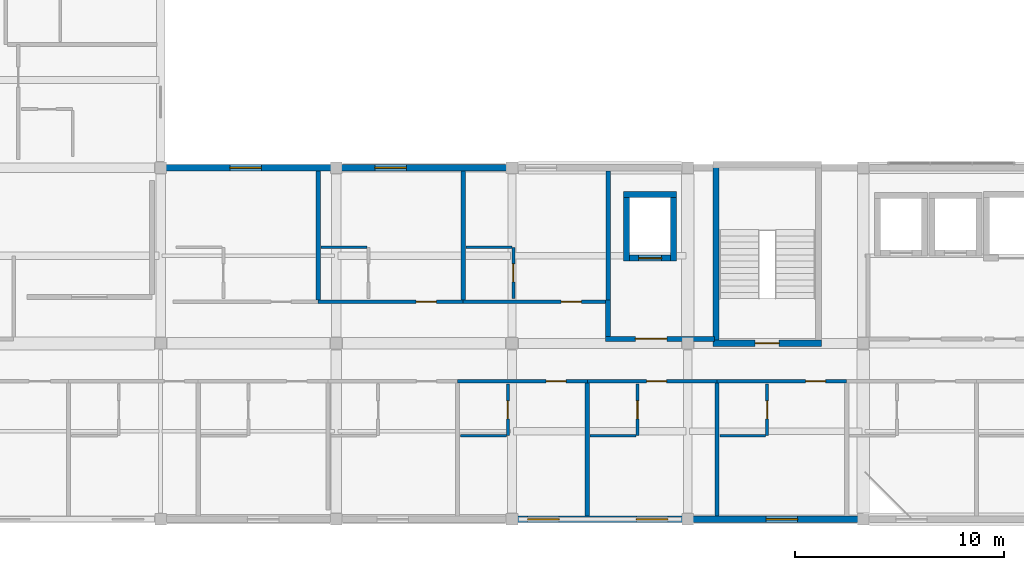
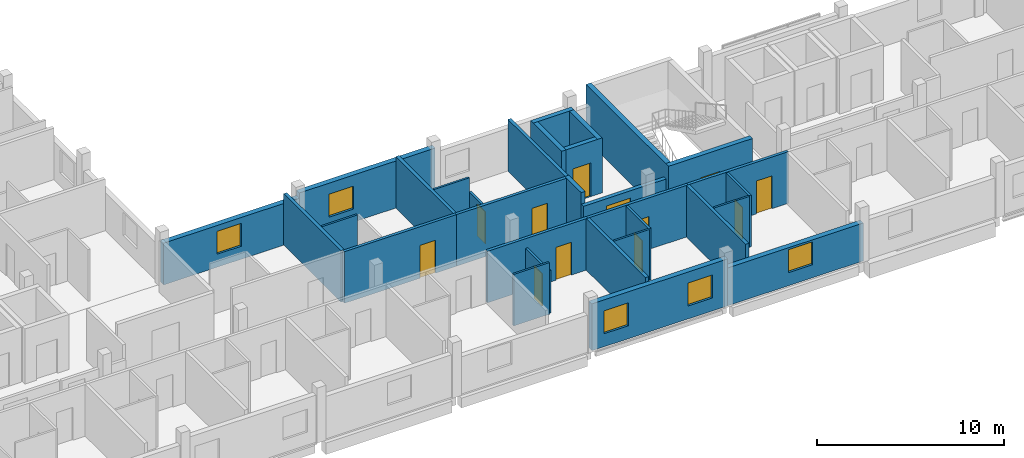
# One storey, part 15 of 26: 31 walls, 12 doors, 5 windows, 17 openings.
"""IFC4 building model written with IfcOpenShell, lengths in metres."""

from ifc_helpers import new_model, si_unit, derived_unit, direction, frame, frame_2d, origin, place, context, subcontext, project, spatial, rectangle, extrude, material, layer, layer_set, type_object, element, fill, save


model = new_model("IFC4")

# Units and contexts
model_context = context("Model", 3, precision=1e-05, world=origin(), true_north=direction((0.0, 1.0)))
body_context = subcontext(model_context, "Body", "Model", "MODEL_VIEW")
ifc_project = project(units=[si_unit("LENGTHUNIT", "METRE"), si_unit("AREAUNIT", "SQUARE_METRE"), si_unit("VOLUMEUNIT", "CUBIC_METRE"), si_unit("PLANEANGLEUNIT", "RADIAN"), si_unit("MASSUNIT", "GRAM", prefix="KILO"), derived_unit("THERMALTRANSMITTANCEUNIT", [(si_unit("POWERUNIT", "WATT"), 1), (si_unit("LENGTHUNIT", "METRE"), -2), (si_unit("THERMODYNAMICTEMPERATUREUNIT", "KELVIN"), -1)])], contexts=[model_context])

# Site, building, storey
site_placement = place(None, origin())
site = spatial("IfcSite", under=ifc_project, at=site_placement, CompositionType="ELEMENT")
building_placement = place(site_placement, origin())
building = spatial("IfcBuilding", under=site, at=building_placement, Name="Barrovel Congress Hotel", CompositionType="ELEMENT")
storey_placement = place(building_placement, frame((0.0, 0.0, 32.699951171875)))
storey = spatial("IfcBuildingStorey", under=building, at=storey_placement, Name="L08", CompositionType="ELEMENT", Elevation=32.699951171875)

# Wall, opening, window
ifc_material_1 = material(Name="Fired Clay Brick Masonry", Category="masonry")
ifc_layer_1 = layer(ifc_material_1, 0.320068359375)
ifc_layer_set_1 = layer_set([ifc_layer_1], Name="Fired Clay Brick Masonry")
wall_type_1 = type_object("IfcWallType", Name="EW-BRK320", PredefinedType="STANDARD", material=ifc_layer_set_1)
wall_1_placement = place(storey_placement, frame((67.199951171875, 21.0, 0.0), z_axis=(0.0, 0.0, 1.0), x_axis=(-1.0, 0.0, 0.0)))
wall_1 = element("IfcWall", 1, at=wall_1_placement, inside=storey, type_object=wall_type_1, Name="EW:L08:HS-NE-3", PredefinedType="STANDARD", context=body_context, shape_type="SweptSolid", body=[
    extrude(rectangle(XDim=8.39990234375, YDim=0.320068359375, at=frame_2d((4.199951171875, 0.0))), origin(), (0.0, 0.0, 1.0), 3.0751953125),
])
opening_1_placement = place(wall_1_placement, frame((5.050048828125, 0.0, 0.85009765625)))
opening_1 = element("IfcOpeningElement", 2, at=opening_1_placement, cuts=wall_1, Name="Opening WN-07", PredefinedType="OPENING", context=body_context, shape_type="SweptSolid", body=[
    extrude(rectangle(XDim=1.5, YDim=1.5, at=frame_2d((0.75, 0.75))), frame((0.0, 0.169921875, 0.0), z_axis=(0.0, -1.0, 0.0), x_axis=(1.0, 0.0, 0.0)), (0.0, 0.0, 1.0), 0.340087890625),
])
ifc_material_2 = material(Name="Double Low-E Insulated Glazing", Category="glass")
window_type = type_object("IfcWindowType", Name="WIN-WN-07", PartitioningType="SINGLE_PANEL", PredefinedType="WINDOW", material=ifc_material_2)
window_1_placement = place(opening_1_placement, origin())
window_1 = element("IfcWindow", 3, at=window_1_placement, inside=storey, type_object=window_type, Name="WIN:L08:U18", OverallHeight=1.5, OverallWidth=1.5, PartitioningType="SINGLE_PANEL", PredefinedType="WINDOW", context=body_context, shape_type="SweptSolid", body=[
    extrude(rectangle(XDim=1.5, YDim=1.5, at=frame_2d((0.75, 0.75))), frame((0.0, 0.030029296875, 0.0), z_axis=(0.0, -1.0, 0.0), x_axis=(1.0, 0.0, 0.0)), (0.0, 0.0, 1.0), 0.06005859375),
])
fill(opening_1, window_1)

# Wall, openings, windows
wall_2_placement = place(storey_placement, frame((67.199951171875, 4.199951171875, 0.0), z_axis=(0.0, 0.0, 1.0), x_axis=(1.0, 0.0, 0.0)))
wall_2 = element("IfcWall", 4, at=wall_2_placement, inside=storey, type_object=wall_type_1, Name="EW:L08:HS-S:P07", PredefinedType="STANDARD", context=body_context, shape_type="SweptSolid", body=[
    extrude(rectangle(XDim=8.400146484375, YDim=0.320068359375, at=frame_2d((4.2001953125, 0.0))), origin(), (0.0, 0.0, 1.0), 3.070068359375),
])
opening_2_placement = place(wall_2_placement, frame((0.75, 0.0, 0.85009765625)))
opening_2 = element("IfcOpeningElement", 5, at=opening_2_placement, cuts=wall_2, Name="Opening WN-07", PredefinedType="OPENING", context=body_context, shape_type="SweptSolid", body=[
    extrude(rectangle(XDim=1.5, YDim=1.5, at=frame_2d((0.75, 0.75))), frame((0.0, 0.169921875, 0.0), z_axis=(0.0, -1.0, 0.0), x_axis=(1.0, 0.0, 0.0)), (0.0, 0.0, 1.0), 0.340087890625),
])
opening_3_placement = place(wall_2_placement, frame((5.949951171875, 0.0, 0.85009765625)))
opening_3 = element("IfcOpeningElement", 6, at=opening_3_placement, cuts=wall_2, Name="Opening WN-07", PredefinedType="OPENING", context=body_context, shape_type="SweptSolid", body=[
    extrude(rectangle(XDim=1.5, YDim=1.5, at=frame_2d((0.75, 0.75))), frame((0.0, 0.169921875, 0.0), z_axis=(0.0, -1.0, 0.0), x_axis=(1.0, 0.0, 0.0)), (0.0, 0.0, 1.0), 0.340087890625),
])
window_2_placement = place(opening_2_placement, origin())
window_2 = element("IfcWindow", 7, at=window_2_placement, inside=storey, type_object=window_type, Name="WIN:L08:U07", OverallHeight=1.5, OverallWidth=1.5, PartitioningType="SINGLE_PANEL", PredefinedType="WINDOW", context=body_context, shape_type="SweptSolid", body=[
    extrude(rectangle(XDim=1.5, YDim=1.5, at=frame_2d((0.75, 0.75))), frame((0.0, 0.030029296875, 0.0), z_axis=(0.0, -1.0, 0.0), x_axis=(1.0, 0.0, 0.0)), (0.0, 0.0, 1.0), 0.06005859375),
])
fill(opening_2, window_2)
window_3_placement = place(opening_3_placement, origin())
window_3 = element("IfcWindow", 8, at=window_3_placement, inside=storey, type_object=window_type, Name="WIN:L08:U08", OverallHeight=1.5, OverallWidth=1.5, PartitioningType="SINGLE_PANEL", PredefinedType="WINDOW", context=body_context, shape_type="SweptSolid", body=[
    extrude(rectangle(XDim=1.5, YDim=1.5, at=frame_2d((0.75, 0.75))), frame((0.0, 0.030029296875, 0.0), z_axis=(0.0, -1.0, 0.0), x_axis=(1.0, 0.0, 0.0)), (0.0, 0.0, 1.0), 0.06005859375),
])
fill(opening_3, window_3)

# Wall, opening, window
wall_3_placement = place(storey_placement, frame((75.60009765625, 4.199951171875, 0.0), z_axis=(0.0, 0.0, 1.0), x_axis=(1.0, 0.0, 0.0)))
wall_3 = element("IfcWall", 9, at=wall_3_placement, inside=storey, type_object=wall_type_1, Name="EW:L08:HS-S:P08", PredefinedType="STANDARD", context=body_context, shape_type="SweptSolid", body=[
    extrude(rectangle(XDim=8.39990234375, YDim=0.320068359375, at=frame_2d((4.199951171875, 0.0))), origin(), (0.0, 0.0, 1.0), 2.47998046875),
])
opening_4_placement = place(wall_3_placement, frame((3.75, 0.0, 0.85009765625)))
opening_4 = element("IfcOpeningElement", 10, at=opening_4_placement, cuts=wall_3, Name="Opening WN-07", PredefinedType="OPENING", context=body_context, shape_type="SweptSolid", body=[
    extrude(rectangle(XDim=1.5, YDim=1.5, at=frame_2d((0.75, 0.75))), frame((0.0, 0.169921875, 0.0), z_axis=(0.0, -1.0, 0.0), x_axis=(1.0, 0.0, 0.0)), (0.0, 0.0, 1.0), 0.340087890625),
])
window_4_placement = place(opening_4_placement, origin())
window_4 = element("IfcWindow", 11, at=window_4_placement, inside=storey, type_object=window_type, Name="WIN:L08:U09", OverallHeight=1.5, OverallWidth=1.5, PartitioningType="SINGLE_PANEL", PredefinedType="WINDOW", context=body_context, shape_type="SweptSolid", body=[
    extrude(rectangle(XDim=1.5, YDim=1.5, at=frame_2d((0.75, 0.75))), frame((0.0, 0.030029296875, 0.0), z_axis=(0.0, -1.0, 0.0), x_axis=(1.0, 0.0, 0.0)), (0.0, 0.0, 1.0), 0.06005859375),
])
fill(opening_4, window_4)

wall_4_placement = place(storey_placement, frame((58.800048828125, 21.0, 0.0), z_axis=(0.0, 0.0, 1.0), x_axis=(-1.0, 0.0, 0.0)))
wall_4 = element("IfcWall", 12, at=wall_4_placement, inside=storey, type_object=wall_type_1, Name="EW:L08:HS-NE-3:P04", PredefinedType="STANDARD", context=body_context, shape_type="SweptSolid", body=[
    extrude(rectangle(XDim=8.400146484375, YDim=0.320068359375, at=frame_2d((4.2001953125, 0.0))), origin(), (0.0, 0.0, 1.0), 2.72998046875),
])
opening_5_placement = place(wall_4_placement, frame((3.583251953125, 0.0, 0.85009765625)))
opening_5 = element("IfcOpeningElement", 13, at=opening_5_placement, cuts=wall_4, Name="Opening WN-07", PredefinedType="OPENING", context=body_context, shape_type="SweptSolid", body=[
    extrude(rectangle(XDim=1.5, YDim=1.5, at=frame_2d((0.75, 0.75))), frame((0.0, 0.169921875, 0.0), z_axis=(0.0, -1.0, 0.0), x_axis=(1.0, 0.0, 0.0)), (0.0, 0.0, 1.0), 0.340087890625),
])
window_5_placement = place(opening_5_placement, origin())
window_5 = element("IfcWindow", 14, at=window_5_placement, inside=storey, type_object=window_type, Name="WIN:L08:U17", OverallHeight=1.5, OverallWidth=1.5, PartitioningType="SINGLE_PANEL", PredefinedType="WINDOW", context=body_context, shape_type="SweptSolid", body=[
    extrude(rectangle(XDim=1.5, YDim=1.5, at=frame_2d((0.75, 0.75))), frame((0.0, 0.030029296875, 0.0), z_axis=(0.0, -1.0, 0.0), x_axis=(1.0, 0.0, 0.0)), (0.0, 0.0, 1.0), 0.06005859375),
])
fill(opening_5, window_5)

# Wall, opening, door
ifc_material_3 = material(Name="Gypsum Acoustic Stud", Category="gypsum")
ifc_layer_2 = layer(ifc_material_3, 0.179931640625)
ifc_layer_set_2 = layer_set([ifc_layer_2], Name="Gypsum Acoustic Stud")
wall_type_2 = type_object("IfcWallType", Name="PW-ACU-180", PredefinedType="PARTITIONING", material=ifc_layer_set_2)
wall_5_placement = place(storey_placement, frame((64.60009765625, 10.800048828125, 0.0), z_axis=(0.0, 0.0, 1.0), x_axis=(1.0, 0.0, 0.0)))
wall_5 = element("IfcWall", 15, at=wall_5_placement, inside=storey, type_object=wall_type_2, Name="PW:L08:U07:COR", PredefinedType="PARTITIONING", context=body_context, shape_type="SweptSolid", body=[
    extrude(rectangle(XDim=6.199951171875, YDim=0.179931640625, at=frame_2d((3.10009765625, 0.0))), origin(), (0.0, 0.0, 1.0), 3.375),
])
opening_6_placement = place(wall_5_placement, frame((4.23095703125, 0.0, 0.0)))
opening_6 = element("IfcOpeningElement", 16, at=opening_6_placement, cuts=wall_5, Name="Opening ID-HTL", PredefinedType="OPENING", context=body_context, shape_type="SweptSolid", body=[
    extrude(rectangle(XDim=0.9599609375, YDim=2.14990234375, at=frame_2d((0.47998046875, 1.074951171875))), frame((0.0, 0.10009765625, 0.0), z_axis=(0.0, -1.0, 0.0), x_axis=(1.0, 0.0, 0.0)), (0.0, 0.0, 1.0), 0.199951171875),
])
ifc_material_4 = material(Name="Solid Oak Acoustic Timber Door", Category="wood")
door_type_1 = type_object("IfcDoorType", Name="IDR-ID-HTL", OperationType="NOTDEFINED", PredefinedType="DOOR", material=ifc_material_4)
door_1_placement = place(opening_6_placement, origin())
door_1 = element("IfcDoor", 17, at=door_1_placement, inside=storey, type_object=door_type_1, Name="DR:L08:U07:ENT", OperationType="SINGLE_SWING_RIGHT", OverallHeight=2.14990234375, OverallWidth=0.9599609375, PredefinedType="DOOR", context=body_context, shape_type="SweptSolid", body=[
    extrude(rectangle(XDim=0.9599609375, YDim=2.14990234375, at=frame_2d((0.47998046875, 1.074951171875))), frame((0.0, 0.02490234375, 0.0), z_axis=(0.0, -1.0, 0.0), x_axis=(1.0, 0.0, 0.0)), (0.0, 0.0, 1.0), 0.050048828125),
])
fill(opening_6, door_1)

wall_6_placement = place(storey_placement, frame((70.800048828125, 10.800048828125, 0.0), z_axis=(0.0, 0.0, 1.0), x_axis=(1.0, 0.0, 0.0)))
wall_6 = element("IfcWall", 18, at=wall_6_placement, inside=storey, type_object=wall_type_2, Name="PW:L08:U08:COR", PredefinedType="PARTITIONING", context=body_context, shape_type="SweptSolid", body=[
    extrude(rectangle(XDim=6.199951171875, YDim=0.179931640625, at=frame_2d((3.10009765625, 0.0))), origin(), (0.0, 0.0, 1.0), 3.375),
])
opening_7_placement = place(wall_6_placement, frame((2.8310546875, 0.0, 0.0)))
opening_7 = element("IfcOpeningElement", 19, at=opening_7_placement, cuts=wall_6, Name="Opening ID-HTL", PredefinedType="OPENING", context=body_context, shape_type="SweptSolid", body=[
    extrude(rectangle(XDim=0.9599609375, YDim=2.14990234375, at=frame_2d((0.47998046875, 1.074951171875))), frame((0.0, 0.10009765625, 0.0), z_axis=(0.0, -1.0, 0.0), x_axis=(1.0, 0.0, 0.0)), (0.0, 0.0, 1.0), 0.199951171875),
])
door_2_placement = place(opening_7_placement, origin())
door_2 = element("IfcDoor", 20, at=door_2_placement, inside=storey, type_object=door_type_1, Name="DR:L08:U08:ENT", OperationType="SINGLE_SWING_RIGHT", OverallHeight=2.14990234375, OverallWidth=0.9599609375, PredefinedType="DOOR", context=body_context, shape_type="SweptSolid", body=[
    extrude(rectangle(XDim=0.9599609375, YDim=2.14990234375, at=frame_2d((0.47998046875, 1.074951171875))), frame((0.0, 0.02490234375, 0.0), z_axis=(0.0, -1.0, 0.0), x_axis=(1.0, 0.0, 0.0)), (0.0, 0.0, 1.0), 0.050048828125),
])
fill(opening_7, door_2)

wall_7_placement = place(storey_placement, frame((77.0, 10.800048828125, 0.0), z_axis=(0.0, 0.0, 1.0), x_axis=(1.0, 0.0, 0.0)))
wall_7 = element("IfcWall", 21, at=wall_7_placement, inside=storey, type_object=wall_type_2, Name="PW:L08:U09:COR", PredefinedType="PARTITIONING", context=body_context, shape_type="SweptSolid", body=[
    extrude(rectangle(XDim=6.199951171875, YDim=0.179931640625, at=frame_2d((3.10009765625, 0.0))), origin(), (0.0, 0.0, 1.0), 3.375),
])
opening_8_placement = place(wall_7_placement, frame((4.23095703125, 0.0, 0.0)))
opening_8 = element("IfcOpeningElement", 22, at=opening_8_placement, cuts=wall_7, Name="Opening ID-HTL", PredefinedType="OPENING", context=body_context, shape_type="SweptSolid", body=[
    extrude(rectangle(XDim=0.9599609375, YDim=2.14990234375, at=frame_2d((0.47998046875, 1.074951171875))), frame((0.0, 0.10009765625, 0.0), z_axis=(0.0, -1.0, 0.0), x_axis=(1.0, 0.0, 0.0)), (0.0, 0.0, 1.0), 0.199951171875),
])
door_3_placement = place(opening_8_placement, origin())
door_3 = element("IfcDoor", 23, at=door_3_placement, inside=storey, type_object=door_type_1, Name="DR:L08:U09:ENT", OperationType="SINGLE_SWING_RIGHT", OverallHeight=2.14990234375, OverallWidth=0.9599609375, PredefinedType="DOOR", context=body_context, shape_type="SweptSolid", body=[
    extrude(rectangle(XDim=0.9599609375, YDim=2.14990234375, at=frame_2d((0.47998046875, 1.074951171875))), frame((0.0, 0.02490234375, 0.0), z_axis=(0.0, -1.0, 0.0), x_axis=(1.0, 0.0, 0.0)), (0.0, 0.0, 1.0), 0.050048828125),
])
fill(opening_8, door_3)

wall_8_placement = place(storey_placement, frame((57.933349609375, 14.60009765625, 0.0), z_axis=(0.0, 0.0, 1.0), x_axis=(1.0, 0.0, 0.0)))
wall_8 = element("IfcWall", 24, at=wall_8_placement, inside=storey, type_object=wall_type_2, Name="PW:L08:U18:COR", PredefinedType="PARTITIONING", context=body_context, shape_type="SweptSolid", body=[
    extrude(rectangle(XDim=6.933349609375, YDim=0.179931640625, at=frame_2d((3.466796875, 0.0))), origin(), (0.0, 0.0, 1.0), 3.375),
])
opening_9_placement = place(wall_8_placement, frame((4.685791015625, 0.0, 0.0)))
opening_9 = element("IfcOpeningElement", 25, at=opening_9_placement, cuts=wall_8, Name="Opening ID-HTL", PredefinedType="OPENING", context=body_context, shape_type="SweptSolid", body=[
    extrude(rectangle(XDim=0.9599609375, YDim=2.14990234375, at=frame_2d((0.47998046875, 1.074951171875))), frame((0.0, 0.10009765625, 0.0), z_axis=(0.0, -1.0, 0.0), x_axis=(1.0, 0.0, 0.0)), (0.0, 0.0, 1.0), 0.199951171875),
])
door_4_placement = place(opening_9_placement, origin())
door_4 = element("IfcDoor", 26, at=door_4_placement, inside=storey, type_object=door_type_1, Name="DR:L08:U18:ENT", OperationType="SINGLE_SWING_RIGHT", OverallHeight=2.14990234375, OverallWidth=0.9599609375, PredefinedType="DOOR", context=body_context, shape_type="SweptSolid", body=[
    extrude(rectangle(XDim=0.9599609375, YDim=2.14990234375, at=frame_2d((0.47998046875, 1.074951171875))), frame((0.0, 0.02490234375, 0.0), z_axis=(0.0, -1.0, 0.0), x_axis=(1.0, 0.0, 0.0)), (0.0, 0.0, 1.0), 0.050048828125),
])
fill(opening_9, door_4)

wall_9_placement = place(storey_placement, frame((64.86669921875, 14.60009765625, 0.0), z_axis=(0.0, 0.0, 1.0), x_axis=(1.0, 0.0, 0.0)))
wall_9 = element("IfcWall", 27, at=wall_9_placement, inside=storey, type_object=wall_type_2, Name="PW:L08:U19:COR", PredefinedType="PARTITIONING", context=body_context, shape_type="SweptSolid", body=[
    extrude(rectangle(XDim=6.933349609375, YDim=0.179931640625, at=frame_2d((3.466796875, 0.0))), origin(), (0.0, 0.0, 1.0), 3.375),
])
opening_10_placement = place(wall_9_placement, frame((4.685546875, 0.0, 0.0)))
opening_10 = element("IfcOpeningElement", 28, at=opening_10_placement, cuts=wall_9, Name="Opening ID-HTL", PredefinedType="OPENING", context=body_context, shape_type="SweptSolid", body=[
    extrude(rectangle(XDim=0.9599609375, YDim=2.14990234375, at=frame_2d((0.47998046875, 1.074951171875))), frame((0.0, 0.10009765625, 0.0), z_axis=(0.0, -1.0, 0.0), x_axis=(1.0, 0.0, 0.0)), (0.0, 0.0, 1.0), 0.199951171875),
])
door_5_placement = place(opening_10_placement, origin())
door_5 = element("IfcDoor", 29, at=door_5_placement, inside=storey, type_object=door_type_1, Name="DR:L08:U19:ENT", OperationType="SINGLE_SWING_RIGHT", OverallHeight=2.14990234375, OverallWidth=0.9599609375, PredefinedType="DOOR", context=body_context, shape_type="SweptSolid", body=[
    extrude(rectangle(XDim=0.9599609375, YDim=2.14990234375, at=frame_2d((0.47998046875, 1.074951171875))), frame((0.0, 0.02490234375, 0.0), z_axis=(0.0, -1.0, 0.0), x_axis=(1.0, 0.0, 0.0)), (0.0, 0.0, 1.0), 0.050048828125),
])
fill(opening_10, door_5)

# Walls
ifc_layer_3 = layer(ifc_material_3, 0.1201171875)
ifc_layer_set_3 = layer_set([ifc_layer_3], Name="Gypsum Acoustic Stud")
wall_type_3 = type_object("IfcWallType", Name="PW-INT-120", PredefinedType="PARTITIONING", material=ifc_layer_set_3)
for number, where, z_axis, x_axis, name in (
    (30, (64.739990234375, 8.199951171875, 0.0), (0.0, 0.0, 1.0), (1.0, 0.0, 0.0), "PW:L08:U07:B2"),
    (31, (70.93994140625, 8.199951171875, 0.0), (0.0, 0.0, 1.0), (1.0, 0.0, 0.0), "PW:L08:U08:B2"),
):
    element("IfcWall", number, at=place(storey_placement, frame(where, z_axis=z_axis, x_axis=x_axis)), inside=storey, type_object=wall_type_3, Name=name, PredefinedType="PARTITIONING", context=body_context, shape_type="SweptSolid", body=[
        extrude(rectangle(XDim=2.18994140625, YDim=0.1201171875, at=frame_2d((1.094970703125, 0.0))), origin(), (0.0, 0.0, 1.0), 3.375),
    ])
wall_10_placement = place(storey_placement, frame((77.139892578125, 8.199951171875, 0.0), z_axis=(0.0, 0.0, 1.0), x_axis=(1.0, 0.0, 0.0)))
element("IfcWall", 32, at=wall_10_placement, inside=storey, type_object=wall_type_3, Name="PW:L08:U09:B2", PredefinedType="PARTITIONING", context=body_context, shape_type="SweptSolid", body=[
    extrude(rectangle(XDim=2.190185546875, YDim=0.1201171875, at=frame_2d((1.09521484375, 0.0))), origin(), (0.0, 0.0, 1.0), 3.375),
])
wall_11_placement = place(storey_placement, frame((58.0732421875, 17.199951171875, 0.0), z_axis=(0.0, 0.0, 1.0), x_axis=(1.0, 0.0, 0.0)))
element("IfcWall", 33, at=wall_11_placement, inside=storey, type_object=wall_type_3, Name="PW:L08:U18:B2", PredefinedType="PARTITIONING", context=body_context, shape_type="SweptSolid", body=[
    extrude(rectangle(XDim=2.18994140625, YDim=0.1201171875, at=frame_2d((1.094970703125, 0.0))), origin(), (0.0, 0.0, 1.0), 3.375),
])
wall_12_placement = place(storey_placement, frame((65.006591796875, 17.199951171875, 0.0), z_axis=(0.0, 0.0, 1.0), x_axis=(1.0, 0.0, 0.0)))
element("IfcWall", 34, at=wall_12_placement, inside=storey, type_object=wall_type_3, Name="PW:L08:U19:B2", PredefinedType="PARTITIONING", context=body_context, shape_type="SweptSolid", body=[
    extrude(rectangle(XDim=2.190185546875, YDim=0.1201171875, at=frame_2d((1.09521484375, 0.0))), origin(), (0.0, 0.0, 1.0), 3.375),
])
ifc_layer_4 = layer(ifc_material_1, 0.199951171875)
ifc_layer_set_4 = layer_set([ifc_layer_4], Name="Fired Clay Brick Masonry")
wall_type_4 = type_object("IfcWallType", Name="PW-MAS-200", PredefinedType="PARTITIONING", material=ifc_layer_set_4)
for number, where, z_axis, x_axis, name in (
    (35, (70.800048828125, 4.360107421875, 0.0), (0.0, 0.0, 1.0), (0.0, 1.0, 0.0), "PW:L08:U07:DEM"),
    (36, (77.0, 4.360107421875, 0.0), (0.0, 0.0, 1.0), (0.0, 1.0, 0.0), "PW:L08:U08:DEM"),
):
    element("IfcWall", number, at=place(storey_placement, frame(where, z_axis=z_axis, x_axis=x_axis)), inside=storey, type_object=wall_type_4, Name=name, PredefinedType="PARTITIONING", context=body_context, shape_type="SweptSolid", body=[
        extrude(rectangle(XDim=6.349853515625, YDim=0.199951171875, at=frame_2d((3.1748046875, 0.0))), origin(), (0.0, 0.0, 1.0), 3.375),
    ])
for number, where, z_axis, x_axis, name in (
    (37, (57.933349609375, 14.68994140625, 0.0), (0.0, 0.0, 1.0), (0.0, 1.0, 0.0), "PW:L08:U17:DEM"),
    (38, (64.86669921875, 14.68994140625, 0.0), (0.0, 0.0, 1.0), (0.0, 1.0, 0.0), "PW:L08:U18:DEM"),
    (39, (71.800048828125, 14.68994140625, 0.0), (0.0, 0.0, 1.0), (0.0, 1.0, 0.0), "PW:L08:U19:DEM"),
):
    element("IfcWall", number, at=place(storey_placement, frame(where, z_axis=z_axis, x_axis=x_axis)), inside=storey, type_object=wall_type_4, Name=name, PredefinedType="PARTITIONING", context=body_context, shape_type="SweptSolid", body=[
        extrude(rectangle(XDim=6.150146484375, YDim=0.199951171875, at=frame_2d((3.0751953125, 0.0))), origin(), (0.0, 0.0, 1.0), 3.375),
    ])

# Wall, opening, door
ifc_layer_5 = layer(ifc_material_1, 0.239990234375)
ifc_layer_set_5 = layer_set([ifc_layer_5], Name="Fired Clay Brick Masonry")
wall_type_5 = type_object("IfcWallType", Name="PW-MAS-240", PredefinedType="PARTITIONING", material=ifc_layer_set_5)
wall_13_placement = place(storey_placement, frame((71.679931640625, 12.820068359375, 0.0), z_axis=(0.0, 0.0, 1.0), x_axis=(1.0, 0.0, 0.0)))
wall_13 = element("IfcWall", 40, at=wall_13_placement, inside=storey, type_object=wall_type_5, Name="RW:SP:L08:FFL-2:S", PredefinedType="PARTITIONING", context=body_context, shape_type="SweptSolid", body=[
    extrude(rectangle(XDim=5.199951171875, YDim=0.239990234375, at=frame_2d((2.60009765625, 0.0))), origin(), (0.0, 0.0, 1.0), 2.630126953125),
])
opening_11_placement = place(wall_13_placement, frame((1.419921875, 0.0, 0.0)))
opening_11 = element("IfcOpeningElement", 41, at=opening_11_placement, cuts=wall_13, Name="Opening ID-FFL", PredefinedType="OPENING", context=body_context, shape_type="SweptSolid", body=[
    extrude(rectangle(XDim=1.5, YDim=2.14990234375, at=frame_2d((0.75, 1.074951171875))), frame((0.0, 0.1298828125, 0.0), z_axis=(0.0, -1.0, 0.0), x_axis=(1.0, 0.0, 0.0)), (0.0, 0.0, 1.0), 0.260009765625),
])
ifc_material_5 = material(Name="Painted Hollow-Metal Steel Door", Category="steel")
door_type_2 = type_object("IfcDoorType", Name="IDR-ID-FFL", OperationType="NOTDEFINED", PredefinedType="DOOR", material=ifc_material_5)
door_6_placement = place(opening_11_placement, origin())
door_6 = element("IfcDoor", 42, at=door_6_placement, inside=storey, type_object=door_type_2, Name="RD:SP:L08:FFL-2", OperationType="DOUBLE_DOOR_SINGLE_SWING", OverallHeight=2.14990234375, OverallWidth=1.5, PredefinedType="DOOR", context=body_context, shape_type="SweptSolid", body=[
    extrude(rectangle(XDim=1.5, YDim=2.14990234375, at=frame_2d((0.75, 1.074951171875))), frame((0.0, 0.02490234375, 0.0), z_axis=(0.0, -1.0, 0.0), x_axis=(1.0, 0.0, 0.0)), (0.0, 0.0, 1.0), 0.050048828125),
])
fill(opening_11, door_6)

# Wall
wall_14_placement = place(storey_placement, frame((71.800048828125, 12.93994140625, 0.0), z_axis=(0.0, 0.0, 1.0), x_axis=(0.0, 1.0, 0.0)))
element("IfcWall", 43, at=wall_14_placement, inside=storey, type_object=wall_type_5, Name="RW:SP:L08:FFL-2:W", PredefinedType="PARTITIONING", context=body_context, shape_type="SweptSolid", body=[
    extrude(rectangle(XDim=1.75, YDim=0.239990234375, at=frame_2d((0.875, 0.0))), origin(), (0.0, 0.0, 1.0), 3.375),
])

# Wall, opening, door
ifc_material_6 = material(Name="Gypsum Moisture Board", Category="gypsum")
ifc_layer_6 = layer(ifc_material_6, 0.139892578125)
ifc_layer_set_6 = layer_set([ifc_layer_6], Name="Gypsum Moisture Board")
wall_type_6 = type_object("IfcWallType", Name="PW-WET-140", PredefinedType="PARTITIONING", material=ifc_layer_set_6)
wall_15_placement = place(storey_placement, frame((67.0, 8.199951171875, 0.0), z_axis=(0.0, 0.0, 1.0), x_axis=(0.0, 1.0, 0.0)))
wall_15 = element("IfcWall", 44, at=wall_15_placement, inside=storey, type_object=wall_type_6, Name="PW:L08:U07:B1", PredefinedType="PARTITIONING", context=body_context, shape_type="SweptSolid", body=[
    extrude(rectangle(XDim=2.4599609375, YDim=0.139892578125, at=frame_2d((1.22998046875, 0.0))), origin(), (0.0, 0.0, 1.0), 2.780029296875),
])
opening_12_placement = place(wall_15_placement, frame((0.800048828125, 0.0, 0.0)))
opening_12 = element("IfcOpeningElement", 45, at=opening_12_placement, cuts=wall_15, Name="Opening ID-ENS", PredefinedType="OPENING", context=body_context, shape_type="SweptSolid", body=[
    extrude(rectangle(XDim=0.860107421875, YDim=2.10009765625, at=frame_2d((0.43017578125, 1.050048828125))), frame((0.0, 0.080078125, 0.0), z_axis=(0.0, -1.0, 0.0), x_axis=(1.0, 0.0, 0.0)), (0.0, 0.0, 1.0), 0.159912109375),
])
ifc_material_7 = material(Name="Lacquered Timber Moisture Door", Category="wood")
door_type_3 = type_object("IfcDoorType", Name="IDR-ID-ENS", OperationType="NOTDEFINED", PredefinedType="DOOR", material=ifc_material_7)
door_7_placement = place(opening_12_placement, origin())
door_7 = element("IfcDoor", 46, at=door_7_placement, inside=storey, type_object=door_type_3, Name="DR:L08:U07:ENS", OperationType="SINGLE_SWING_LEFT", OverallHeight=2.10009765625, OverallWidth=0.860107421875, PredefinedType="DOOR", context=body_context, shape_type="SweptSolid", body=[
    extrude(rectangle(XDim=0.860107421875, YDim=2.10009765625, at=frame_2d((0.43017578125, 1.050048828125))), frame((0.0, 0.02490234375, 0.0), z_axis=(0.0, -1.0, 0.0), x_axis=(1.0, 0.0, 0.0)), (0.0, 0.0, 1.0), 0.050048828125),
])
fill(opening_12, door_7)

wall_16_placement = place(storey_placement, frame((73.199951171875, 8.199951171875, 0.0), z_axis=(0.0, 0.0, 1.0), x_axis=(0.0, 1.0, 0.0)))
wall_16 = element("IfcWall", 47, at=wall_16_placement, inside=storey, type_object=wall_type_6, Name="PW:L08:U08:B1", PredefinedType="PARTITIONING", context=body_context, shape_type="SweptSolid", body=[
    extrude(rectangle(XDim=2.4599609375, YDim=0.139892578125, at=frame_2d((1.22998046875, 0.0))), origin(), (0.0, 0.0, 1.0), 3.375),
])
opening_13_placement = place(wall_16_placement, frame((0.800048828125, 0.0, 0.0)))
opening_13 = element("IfcOpeningElement", 48, at=opening_13_placement, cuts=wall_16, Name="Opening ID-ENS", PredefinedType="OPENING", context=body_context, shape_type="SweptSolid", body=[
    extrude(rectangle(XDim=0.860107421875, YDim=2.10009765625, at=frame_2d((0.43017578125, 1.050048828125))), frame((0.0, 0.080078125, 0.0), z_axis=(0.0, -1.0, 0.0), x_axis=(1.0, 0.0, 0.0)), (0.0, 0.0, 1.0), 0.159912109375),
])
door_8_placement = place(opening_13_placement, origin())
door_8 = element("IfcDoor", 49, at=door_8_placement, inside=storey, type_object=door_type_3, Name="DR:L08:U08:ENS", OperationType="SINGLE_SWING_LEFT", OverallHeight=2.10009765625, OverallWidth=0.860107421875, PredefinedType="DOOR", context=body_context, shape_type="SweptSolid", body=[
    extrude(rectangle(XDim=0.860107421875, YDim=2.10009765625, at=frame_2d((0.43017578125, 1.050048828125))), frame((0.0, 0.02490234375, 0.0), z_axis=(0.0, -1.0, 0.0), x_axis=(1.0, 0.0, 0.0)), (0.0, 0.0, 1.0), 0.050048828125),
])
fill(opening_13, door_8)

wall_17_placement = place(storey_placement, frame((79.39990234375, 8.199951171875, 0.0), z_axis=(0.0, 0.0, 1.0), x_axis=(0.0, 1.0, 0.0)))
wall_17 = element("IfcWall", 50, at=wall_17_placement, inside=storey, type_object=wall_type_6, Name="PW:L08:U09:B1", PredefinedType="PARTITIONING", context=body_context, shape_type="SweptSolid", body=[
    extrude(rectangle(XDim=2.4599609375, YDim=0.139892578125, at=frame_2d((1.22998046875, 0.0))), origin(), (0.0, 0.0, 1.0), 3.375),
])
opening_14_placement = place(wall_17_placement, frame((0.800048828125, 0.0, 0.0)))
opening_14 = element("IfcOpeningElement", 51, at=opening_14_placement, cuts=wall_17, Name="Opening ID-ENS", PredefinedType="OPENING", context=body_context, shape_type="SweptSolid", body=[
    extrude(rectangle(XDim=0.860107421875, YDim=2.10009765625, at=frame_2d((0.43017578125, 1.050048828125))), frame((0.0, 0.080078125, 0.0), z_axis=(0.0, -1.0, 0.0), x_axis=(1.0, 0.0, 0.0)), (0.0, 0.0, 1.0), 0.159912109375),
])
door_9_placement = place(opening_14_placement, origin())
door_9 = element("IfcDoor", 52, at=door_9_placement, inside=storey, type_object=door_type_3, Name="DR:L08:U09:ENS", OperationType="SINGLE_SWING_LEFT", OverallHeight=2.10009765625, OverallWidth=0.860107421875, PredefinedType="DOOR", context=body_context, shape_type="SweptSolid", body=[
    extrude(rectangle(XDim=0.860107421875, YDim=2.10009765625, at=frame_2d((0.43017578125, 1.050048828125))), frame((0.0, 0.02490234375, 0.0), z_axis=(0.0, -1.0, 0.0), x_axis=(1.0, 0.0, 0.0)), (0.0, 0.0, 1.0), 0.050048828125),
])
fill(opening_14, door_9)

wall_18_placement = place(storey_placement, frame((67.2666015625, 14.739990234375, 0.0), z_axis=(0.0, 0.0, 1.0), x_axis=(0.0, 1.0, 0.0)))
wall_18 = element("IfcWall", 53, at=wall_18_placement, inside=storey, type_object=wall_type_6, Name="PW:L08:U19:B1", PredefinedType="PARTITIONING", context=body_context, shape_type="SweptSolid", body=[
    extrude(rectangle(XDim=2.4599609375, YDim=0.139892578125, at=frame_2d((1.22998046875, 0.0))), origin(), (0.0, 0.0, 1.0), 2.429931640625),
])
opening_15_placement = place(wall_18_placement, frame((0.800048828125, 0.0, 0.0)))
opening_15 = element("IfcOpeningElement", 54, at=opening_15_placement, cuts=wall_18, Name="Opening ID-ENS", PredefinedType="OPENING", context=body_context, shape_type="SweptSolid", body=[
    extrude(rectangle(XDim=0.860107421875, YDim=2.10009765625, at=frame_2d((0.43017578125, 1.050048828125))), frame((0.0, 0.080078125, 0.0), z_axis=(0.0, -1.0, 0.0), x_axis=(1.0, 0.0, 0.0)), (0.0, 0.0, 1.0), 0.159912109375),
])
door_10_placement = place(opening_15_placement, origin())
door_10 = element("IfcDoor", 55, at=door_10_placement, inside=storey, type_object=door_type_3, Name="DR:L08:U19:ENS", OperationType="SINGLE_SWING_LEFT", OverallHeight=2.10009765625, OverallWidth=0.860107421875, PredefinedType="DOOR", context=body_context, shape_type="SweptSolid", body=[
    extrude(rectangle(XDim=0.860107421875, YDim=2.10009765625, at=frame_2d((0.43017578125, 1.050048828125))), frame((0.0, 0.02490234375, 0.0), z_axis=(0.0, -1.0, 0.0), x_axis=(1.0, 0.0, 0.0)), (0.0, 0.0, 1.0), 0.050048828125),
])
fill(opening_15, door_10)

ifc_material_8 = material(Name="Concrete C40", Category="concrete")
ifc_layer_7 = layer(ifc_material_8, 0.280029296875)
ifc_layer_set_7 = layer_set([ifc_layer_7], Name="Concrete C40")
wall_type_7 = type_object("IfcWallType", Name="SW-C40-280", PredefinedType="SHEAR", material=ifc_layer_set_7)
wall_19_placement = place(storey_placement, frame((72.5400390625, 16.679931640625, 0.0), z_axis=(0.0, 0.0, 1.0), x_axis=(1.0, 0.0, 0.0)))
wall_19 = element("IfcWall", 56, at=wall_19_placement, inside=storey, type_object=wall_type_7, Name="LSH:FL-2:L08:S", PredefinedType="SHEAR", context=body_context, shape_type="SweptSolid", body=[
    extrude(rectangle(XDim=2.52001953125, YDim=0.280029296875, at=frame_2d((1.260009765625, 0.0))), origin(), (0.0, 0.0, 1.0), 3.60009765625),
])
opening_16_placement = place(wall_19_placement, frame((0.7099609375, 0.0, 0.0)))
opening_16 = element("IfcOpeningElement", 57, at=opening_16_placement, cuts=wall_19, Name="Opening LD-FF", PredefinedType="OPENING", context=body_context, shape_type="SweptSolid", body=[
    extrude(rectangle(XDim=1.10009765625, YDim=2.199951171875, at=frame_2d((0.550048828125, 1.10009765625))), frame((0.0, 0.14990234375, 0.0), z_axis=(0.0, -1.0, 0.0), x_axis=(1.0, 0.0, 0.0)), (0.0, 0.0, 1.0), 0.300048828125),
])
ifc_material_9 = material(Name="Brushed Stainless Steel", Category="steel")
door_type_4 = type_object("IfcDoorType", Name="IDR-LD-FF", OperationType="NOTDEFINED", PredefinedType="DOOR", material=ifc_material_9)
door_11_placement = place(opening_16_placement, origin())
door_11 = element("IfcDoor", 58, at=door_11_placement, inside=storey, type_object=door_type_4, Name="Lift Landing Door LD-FL-2-L08", OperationType="SLIDING_TO_LEFT", OverallHeight=2.199951171875, OverallWidth=1.10009765625, PredefinedType="DOOR", context=body_context, shape_type="SweptSolid", body=[
    extrude(rectangle(XDim=1.10009765625, YDim=2.199951171875, at=frame_2d((0.550048828125, 1.10009765625))), frame((0.0, 0.02490234375, 0.0), z_axis=(0.0, -1.0, 0.0), x_axis=(1.0, 0.0, 0.0)), (0.0, 0.0, 1.0), 0.050048828125),
])
fill(opening_16, door_11)

# Walls
wall_20_placement = place(storey_placement, frame((74.919921875, 16.5400390625, 0.0), z_axis=(0.0, 0.0, 1.0), x_axis=(0.0, 1.0, 0.0)))
element("IfcWall", 59, at=wall_20_placement, inside=storey, type_object=wall_type_7, Name="LSH:FL-2:L08:E", PredefinedType="SHEAR", context=body_context, shape_type="SweptSolid", body=[
    extrude(rectangle(XDim=3.320068359375, YDim=0.280029296875, at=frame_2d((1.66015625, 0.0))), origin(), (0.0, 0.0, 1.0), 3.60009765625),
])
wall_21_placement = place(storey_placement, frame((75.06005859375, 19.719970703125, 0.0), z_axis=(0.0, 0.0, 1.0), x_axis=(-1.0, 0.0, 0.0)))
element("IfcWall", 60, at=wall_21_placement, inside=storey, type_object=wall_type_7, Name="LSH:FL-2:L08:N", PredefinedType="SHEAR", context=body_context, shape_type="SweptSolid", body=[
    extrude(rectangle(XDim=2.52001953125, YDim=0.280029296875, at=frame_2d((1.260009765625, 0.0))), origin(), (0.0, 0.0, 1.0), 3.60009765625),
])
wall_22_placement = place(storey_placement, frame((72.679931640625, 19.860107421875, 0.0), z_axis=(0.0, 0.0, 1.0), x_axis=(0.0, -1.0, 0.0)))
element("IfcWall", 61, at=wall_22_placement, inside=storey, type_object=wall_type_7, Name="LSH:FL-2:L08:W", PredefinedType="SHEAR", context=body_context, shape_type="SweptSolid", body=[
    extrude(rectangle(XDim=3.320068359375, YDim=0.280029296875, at=frame_2d((1.66015625, 0.0))), origin(), (0.0, 0.0, 1.0), 3.60009765625),
])

# Wall, opening, door
ifc_layer_8 = layer(ifc_material_8, 0.300048828125)
ifc_layer_set_8 = layer_set([ifc_layer_8], Name="Concrete C40")
wall_type_8 = type_object("IfcWallType", Name="SW-C40-300", PredefinedType="SHEAR", material=ifc_layer_set_8)
wall_23_placement = place(storey_placement, frame((76.800048828125, 12.610107421875, 0.0), z_axis=(0.0, 0.0, 1.0), x_axis=(1.0, 0.0, 0.0)))
wall_23 = element("IfcWall", 62, at=wall_23_placement, inside=storey, type_object=wall_type_8, Name="SHW:XS-02:L08:S", PredefinedType="SHEAR", context=body_context, shape_type="SweptSolid", body=[
    extrude(rectangle(XDim=5.199951171875, YDim=0.300048828125, at=frame_2d((2.60009765625, 0.0))), origin(), (0.0, 0.0, 1.0), 3.60009765625),
])
opening_17_placement = place(wall_23_placement, frame((2.02490234375, 0.0, 0.0)))
opening_17 = element("IfcOpeningElement", 63, at=opening_17_placement, cuts=wall_23, Name="Opening ID-ST1", PredefinedType="OPENING", context=body_context, shape_type="SweptSolid", body=[
    extrude(rectangle(XDim=1.14990234375, YDim=2.14990234375, at=frame_2d((0.574951171875, 1.074951171875))), frame((0.0, 0.16015625, 0.0), z_axis=(0.0, -1.0, 0.0), x_axis=(1.0, 0.0, 0.0)), (0.0, 0.0, 1.0), 0.320068359375),
])
door_type_5 = type_object("IfcDoorType", Name="IDR-ID-ST1", OperationType="NOTDEFINED", PredefinedType="DOOR", material=ifc_material_5)
door_12_placement = place(opening_17_placement, origin())
door_12 = element("IfcDoor", 64, at=door_12_placement, inside=storey, type_object=door_type_5, Name="Stair Core Fire Door XS-02-L08", OperationType="SINGLE_SWING_LEFT", OverallHeight=2.14990234375, OverallWidth=1.14990234375, PredefinedType="DOOR", context=body_context, shape_type="SweptSolid", body=[
    extrude(rectangle(XDim=1.14990234375, YDim=2.14990234375, at=frame_2d((0.574951171875, 1.074951171875))), frame((0.0, 0.02490234375, 0.0), z_axis=(0.0, -1.0, 0.0), x_axis=(1.0, 0.0, 0.0)), (0.0, 0.0, 1.0), 0.050048828125),
])
fill(opening_17, door_12)

# Wall
wall_24_placement = place(storey_placement, frame((76.949951171875, 21.300048828125, 0.0), z_axis=(0.0, 0.0, 1.0), x_axis=(0.0, -1.0, 0.0)))
element("IfcWall", 65, at=wall_24_placement, inside=storey, type_object=wall_type_8, Name="SHW:XS-02:L08:W", PredefinedType="SHEAR", context=body_context, shape_type="SweptSolid", body=[
    extrude(rectangle(XDim=8.840087890625, YDim=0.300048828125, at=frame_2d((4.419921875, 0.0))), origin(), (0.0, 0.0, 1.0), 3.60009765625),
])

save(model, "model.ifc")
